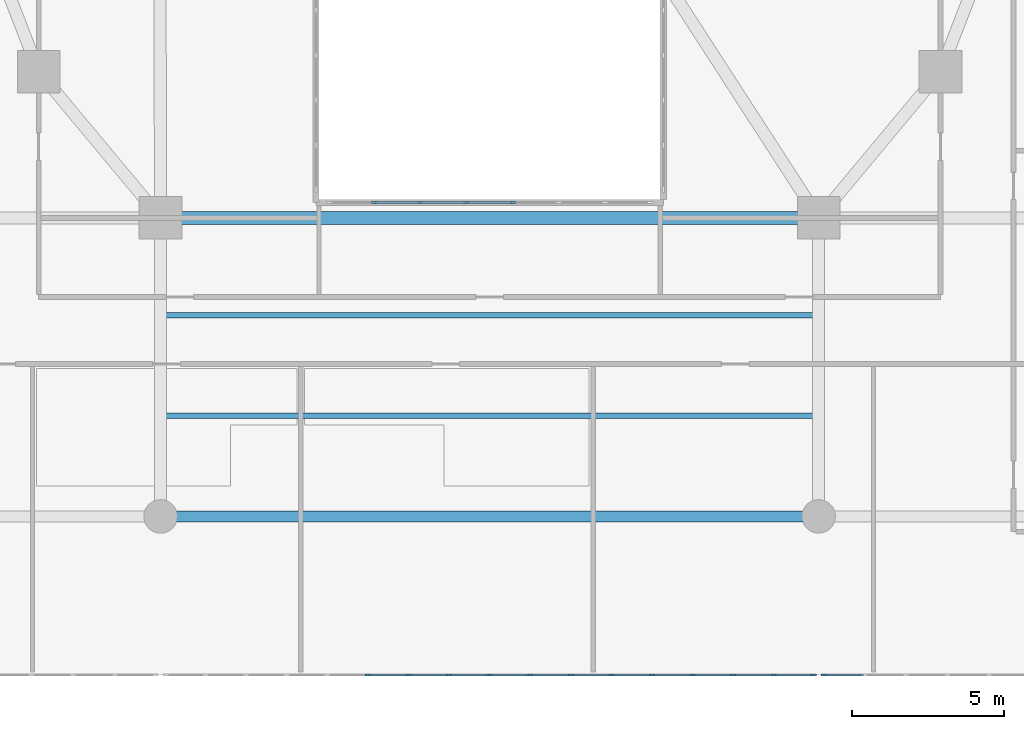
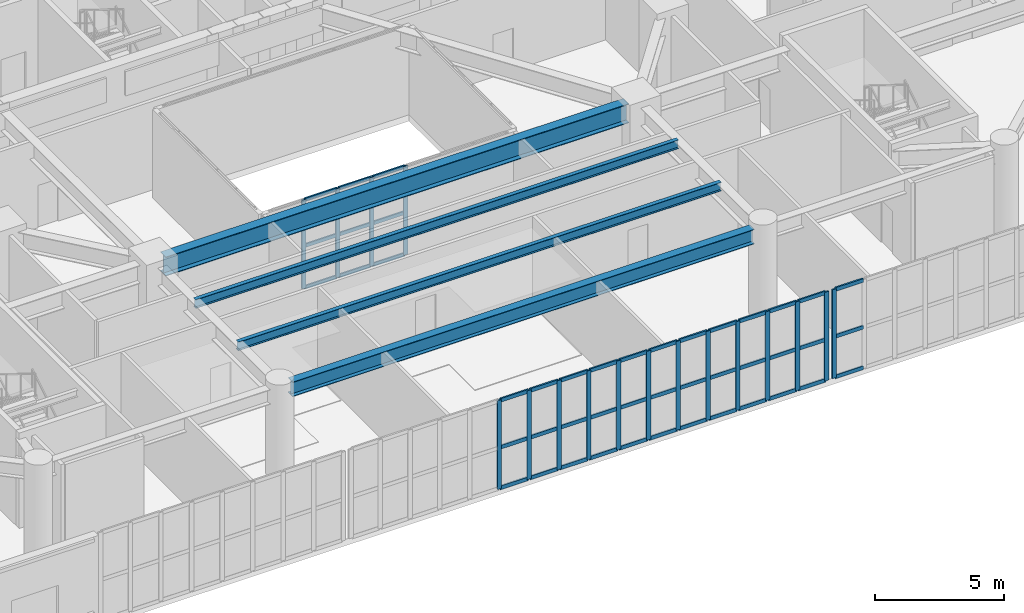
# One storey, part 5 of 25: 62 members, 4 beams, 3 elements without a shape of their own.
"""IFC4 building model written with IfcOpenShell, lengths in metres."""

from ifc_helpers import new_model, si_unit, direction, frame, origin, origin_2d, place, context, subcontext, project, spatial, rectangle, i_section, extrude, material, material_profile, profile_set, type_object, element, aggregate, save


model = new_model("IFC4")

# Units and contexts
model_context = context("Model", 3, precision=1e-05, world=origin(), true_north=direction((0.0, 1.0)))
body_context = subcontext(model_context, "Body", "Model", "MODEL_VIEW")
ifc_project = project(units=[si_unit("LENGTHUNIT", "METRE"), si_unit("AREAUNIT", "SQUARE_METRE"), si_unit("VOLUMEUNIT", "CUBIC_METRE"), si_unit("PLANEANGLEUNIT", "RADIAN"), si_unit("MASSUNIT", "GRAM", prefix="KILO")], contexts=[model_context])

# Site, building, storey
site_placement = place(None, origin())
site = spatial("IfcSite", under=ifc_project, at=site_placement, CompositionType="ELEMENT")
building_placement = place(site_placement, origin())
building = spatial("IfcBuilding", under=site, at=building_placement, Name="Haldorwick Loom Tower", CompositionType="ELEMENT")
storey_placement = place(building_placement, frame((0.0, 0.0, 15.0)))
storey = spatial("IfcBuildingStorey", under=building, at=storey_placement, Name="L03", CompositionType="ELEMENT", Elevation=15.0)

# Curtain wall, members
ifc_material_1 = material(Name="Thermally Broken Anodized Aluminium Curtain Wall Framing", Category="aluminium")
curtain_wall_type_1 = type_object("IfcCurtainWallType", Name="ARC-CW-02", PredefinedType="NOTDEFINED", material=ifc_material_1)
curtain_wall_1_placement = place(storey_placement, origin())
curtain_wall_1 = element("IfcCurtainWall", 1, at=curtain_wall_1_placement, inside=storey, type_object=curtain_wall_type_1, Name="L03 Facade Curtain Wall CW-02 Bay 40", PredefinedType="NOTDEFINED")
ifc_material_profile_1 = material_profile(ifc_material_1, rectangle(XDim=0.070068359375, YDim=0.195068359375, at=origin_2d()), Name="ALU_MUL_70X195", Category="aluminium")
ifc_profile_set_1 = profile_set([ifc_material_profile_1], Name="Thermally Broken Anodized Aluminium Curtain Wall Framing")
member_type_1 = type_object("IfcMemberType", Name="ARC-CWM-02", PredefinedType="MULLION", material=ifc_profile_set_1)
member_1_placement = place(storey_placement, frame((32.00244140625, 0.0, 0.0), z_axis=(0.0, 0.0, 1.0), x_axis=(0.0, 1.0, 0.0)))
member_1 = element("IfcMember", 2, at=member_1_placement, type_object=member_type_1, Name="CW-02 mullion 6", PredefinedType="MULLION", context=body_context, shape_type="SweptSolid", body=[
    extrude(rectangle(XDim=0.070068359375, YDim=0.195068359375, at=origin_2d()), origin(), (0.0, 0.0, 1.0), 4.199951171875),
])
member_2_placement = place(storey_placement, frame((33.3349609375, 0.0, 0.0), z_axis=(0.0, 0.0, 1.0), x_axis=(0.0, 1.0, 0.0)))
member_2 = element("IfcMember", 3, at=member_2_placement, type_object=member_type_1, Name="CW-02 mullion 7", PredefinedType="MULLION", context=body_context, shape_type="SweptSolid", body=[
    extrude(rectangle(XDim=0.070068359375, YDim=0.195068359375, at=origin_2d()), origin(), (0.0, 0.0, 1.0), 4.199951171875),
])
member_3_placement = place(storey_placement, frame((34.66748046875, 0.0, 0.0), z_axis=(0.0, 0.0, 1.0), x_axis=(0.0, 1.0, 0.0)))
member_3 = element("IfcMember", 4, at=member_3_placement, type_object=member_type_1, Name="CW-02 mullion 8", PredefinedType="MULLION", context=body_context, shape_type="SweptSolid", body=[
    extrude(rectangle(XDim=0.070068359375, YDim=0.195068359375, at=origin_2d()), origin(), (0.0, 0.0, 1.0), 4.199951171875),
])
member_4_placement = place(storey_placement, frame((36.0, 0.0, 0.0), z_axis=(0.0, 0.0, 1.0), x_axis=(0.0, 1.0, 0.0)))
member_4 = element("IfcMember", 5, at=member_4_placement, type_object=member_type_1, Name="CW-02 mullion 9", PredefinedType="MULLION", context=body_context, shape_type="SweptSolid", body=[
    extrude(rectangle(XDim=0.070068359375, YDim=0.195068359375, at=origin_2d()), origin(), (0.0, 0.0, 1.0), 4.199951171875),
])
member_5_placement = place(storey_placement, frame((37.33251953125, 0.0, 0.0), z_axis=(0.0, 0.0, 1.0), x_axis=(0.0, 1.0, 0.0)))
member_5 = element("IfcMember", 6, at=member_5_placement, type_object=member_type_1, Name="CW-02 mullion 10", PredefinedType="MULLION", context=body_context, shape_type="SweptSolid", body=[
    extrude(rectangle(XDim=0.070068359375, YDim=0.195068359375, at=origin_2d()), origin(), (0.0, 0.0, 1.0), 4.199951171875),
])
member_6_placement = place(storey_placement, frame((38.6650390625, 0.0, 0.0), z_axis=(0.0, 0.0, 1.0), x_axis=(0.0, 1.0, 0.0)))
member_6 = element("IfcMember", 7, at=member_6_placement, type_object=member_type_1, Name="CW-02 mullion 11", PredefinedType="MULLION", context=body_context, shape_type="SweptSolid", body=[
    extrude(rectangle(XDim=0.070068359375, YDim=0.195068359375, at=origin_2d()), origin(), (0.0, 0.0, 1.0), 4.199951171875),
])
member_7_placement = place(storey_placement, frame((39.99755859375, 0.0, 0.0), z_axis=(0.0, 0.0, 1.0), x_axis=(0.0, 1.0, 0.0)))
member_7 = element("IfcMember", 8, at=member_7_placement, type_object=member_type_1, Name="CW-02 mullion 12", PredefinedType="MULLION", context=body_context, shape_type="SweptSolid", body=[
    extrude(rectangle(XDim=0.070068359375, YDim=0.195068359375, at=origin_2d()), origin(), (0.0, 0.0, 1.0), 4.199951171875),
])
member_8_placement = place(storey_placement, frame((41.330078125, 0.0, 0.0), z_axis=(0.0, 0.0, 1.0), x_axis=(0.0, 1.0, 0.0)))
member_8 = element("IfcMember", 9, at=member_8_placement, type_object=member_type_1, Name="CW-02 mullion 13", PredefinedType="MULLION", context=body_context, shape_type="SweptSolid", body=[
    extrude(rectangle(XDim=0.070068359375, YDim=0.195068359375, at=origin_2d()), origin(), (0.0, 0.0, 1.0), 4.199951171875),
])
member_9_placement = place(storey_placement, frame((42.66259765625, 0.0, 0.0), z_axis=(0.0, 0.0, 1.0), x_axis=(0.0, 1.0, 0.0)))
member_9 = element("IfcMember", 10, at=member_9_placement, type_object=member_type_1, Name="CW-02 mullion 14", PredefinedType="MULLION", context=body_context, shape_type="SweptSolid", body=[
    extrude(rectangle(XDim=0.070068359375, YDim=0.195068359375, at=origin_2d()), origin(), (0.0, 0.0, 1.0), 4.199951171875),
])
member_10_placement = place(storey_placement, frame((43.9951171875, 0.0, 0.0), z_axis=(0.0, 0.0, 1.0), x_axis=(0.0, 1.0, 0.0)))
member_10 = element("IfcMember", 11, at=member_10_placement, type_object=member_type_1, Name="CW-02 mullion 15", PredefinedType="MULLION", context=body_context, shape_type="SweptSolid", body=[
    extrude(rectangle(XDim=0.070068359375, YDim=0.195068359375, at=origin_2d()), origin(), (0.0, 0.0, 1.0), 4.199951171875),
])
member_11_placement = place(storey_placement, frame((45.327392578125, 0.0, 0.0), z_axis=(0.0, 0.0, 1.0), x_axis=(0.0, 1.0, 0.0)))
member_11 = element("IfcMember", 12, at=member_11_placement, type_object=member_type_1, Name="CW-02 mullion 16", PredefinedType="MULLION", context=body_context, shape_type="SweptSolid", body=[
    extrude(rectangle(XDim=0.070068359375, YDim=0.195068359375, at=origin_2d()), origin(), (0.0, 0.0, 1.0), 4.199951171875),
])
member_12_placement = place(storey_placement, frame((46.625, 0.0, 0.0), z_axis=(0.0, 0.0, 1.0), x_axis=(0.0, 1.0, 0.0)))
member_12 = element("IfcMember", 13, at=member_12_placement, type_object=member_type_1, Name="CW-02 mullion 17", PredefinedType="MULLION", context=body_context, shape_type="SweptSolid", body=[
    extrude(rectangle(XDim=0.070068359375, YDim=0.195068359375, at=origin_2d()), origin(), (0.0, 0.0, 1.0), 4.199951171875),
])

# Curtain wall, member
curtain_wall_2_placement = place(storey_placement, origin())
curtain_wall_2 = element("IfcCurtainWall", 14, at=curtain_wall_2_placement, inside=storey, type_object=curtain_wall_type_1, Name="L03 Facade Curtain Wall CW-02 Bay 41", PredefinedType="NOTDEFINED")
member_13_placement = place(storey_placement, frame((46.97509765625, 0.0, 0.0), z_axis=(0.0, 0.0, 1.0), x_axis=(0.0, 1.0, 0.0)))
member_13 = element("IfcMember", 15, at=member_13_placement, type_object=member_type_1, Name="CW-02 mullion 1", PredefinedType="MULLION", context=body_context, shape_type="SweptSolid", body=[
    extrude(rectangle(XDim=0.070068359375, YDim=0.195068359375, at=origin_2d()), origin(), (0.0, 0.0, 1.0), 4.199951171875),
])

# Curtain wall, members
curtain_wall_type_2 = type_object("IfcCurtainWallType", Name="ARC-CW-03", PredefinedType="NOTDEFINED", material=ifc_material_1)
curtain_wall_3_placement = place(storey_placement, origin())
curtain_wall_3 = element("IfcCurtainWall", 16, at=curtain_wall_3_placement, inside=storey, type_object=curtain_wall_type_2, Name="L03 Atrium Glazed Screen S", PredefinedType="NOTDEFINED")
ifc_material_profile_2 = material_profile(ifc_material_1, rectangle(XDim=0.06591796875, YDim=0.18505859375, at=origin_2d()), Name="ALU_MUL_66X185", Category="aluminium")
ifc_profile_set_2 = profile_set([ifc_material_profile_2], Name="Thermally Broken Anodized Aluminium Curtain Wall Framing")
member_type_2 = type_object("IfcMemberType", Name="ARC-CWM-03", PredefinedType="MULLION", material=ifc_profile_set_2)
member_14_placement = place(storey_placement, frame((36.757080078125, 15.5, 0.0), z_axis=(0.0, 0.0, 1.0), x_axis=(0.0, -1.0, 0.0)))
member_14 = element("IfcMember", 17, at=member_14_placement, type_object=member_type_2, Name="CW-03 mullion 4", PredefinedType="MULLION", context=body_context, shape_type="SweptSolid", body=[
    extrude(rectangle(XDim=0.06591796875, YDim=0.18505859375, at=origin_2d()), origin(), (0.0, 0.0, 1.0), 4.199951171875),
])
member_15_placement = place(storey_placement, frame((35.242919921875, 15.5, 0.0), z_axis=(0.0, 0.0, 1.0), x_axis=(0.0, -1.0, 0.0)))
member_15 = element("IfcMember", 18, at=member_15_placement, type_object=member_type_2, Name="CW-03 mullion 5", PredefinedType="MULLION", context=body_context, shape_type="SweptSolid", body=[
    extrude(rectangle(XDim=0.06591796875, YDim=0.18505859375, at=origin_2d()), origin(), (0.0, 0.0, 1.0), 4.199951171875),
])
member_16_placement = place(storey_placement, frame((33.728515625, 15.5, 0.0), z_axis=(0.0, 0.0, 1.0), x_axis=(0.0, -1.0, 0.0)))
member_16 = element("IfcMember", 19, at=member_16_placement, type_object=member_type_2, Name="CW-03 mullion 6", PredefinedType="MULLION", context=body_context, shape_type="SweptSolid", body=[
    extrude(rectangle(XDim=0.06591796875, YDim=0.18505859375, at=origin_2d()), origin(), (0.0, 0.0, 1.0), 4.199951171875),
])
member_17_placement = place(storey_placement, frame((32.21435546875, 15.5, 0.0), z_axis=(0.0, 0.0, 1.0), x_axis=(0.0, -1.0, 0.0)))
member_17 = element("IfcMember", 20, at=member_17_placement, type_object=member_type_2, Name="CW-03 mullion 7", PredefinedType="MULLION", context=body_context, shape_type="SweptSolid", body=[
    extrude(rectangle(XDim=0.06591796875, YDim=0.18505859375, at=origin_2d()), origin(), (0.0, 0.0, 1.0), 4.199951171875),
])

# Member
ifc_material_profile_3 = material_profile(ifc_material_1, rectangle(XDim=0.070068359375, YDim=0.175048828125, at=origin_2d()), Name="ALU_TRN_70X175", Category="aluminium")
ifc_profile_set_3 = profile_set([ifc_material_profile_3], Name="Thermally Broken Anodized Aluminium Curtain Wall Framing")
member_type_3 = type_object("IfcMemberType", Name="ARC-CWT-02", PredefinedType="USERDEFINED", material=ifc_profile_set_3)
member_18_placement = place(storey_placement, frame((32.03759765625, 0.0, 0.034912109375), z_axis=(1.0, 0.0, 0.0), x_axis=(0.0, 1.0, 0.0)))
member_18 = element("IfcMember", 21, at=member_18_placement, type_object=member_type_3, Name="CW-02 transom 6.1", ObjectType="TRANSOM", PredefinedType="USERDEFINED", context=body_context, shape_type="SweptSolid", body=[
    extrude(rectangle(XDim=0.070068359375, YDim=0.175048828125, at=origin_2d()), origin(), (0.0, 0.0, 1.0), 1.262451171875),
])

member_19_placement = place(storey_placement, frame((32.03759765625, 0.0, 1.949951171875), z_axis=(1.0, 0.0, 0.0), x_axis=(0.0, 1.0, 0.0)))
member_19 = element("IfcMember", 22, at=member_19_placement, type_object=member_type_3, Name="CW-02 transom 6.2", ObjectType="TRANSOM", PredefinedType="USERDEFINED", context=body_context, shape_type="SweptSolid", body=[
    extrude(rectangle(XDim=0.070068359375, YDim=0.175048828125, at=origin_2d()), origin(), (0.0, 0.0, 1.0), 1.262451171875),
])

member_20_placement = place(storey_placement, frame((32.03759765625, 0.0, 4.1650390625), z_axis=(1.0, 0.0, 0.0), x_axis=(0.0, 1.0, 0.0)))
member_20 = element("IfcMember", 23, at=member_20_placement, type_object=member_type_3, Name="CW-02 transom 6.3", ObjectType="TRANSOM", PredefinedType="USERDEFINED", context=body_context, shape_type="SweptSolid", body=[
    extrude(rectangle(XDim=0.070068359375, YDim=0.175048828125, at=origin_2d()), origin(), (0.0, 0.0, 1.0), 1.262451171875),
])

member_21_placement = place(storey_placement, frame((33.3701171875, 0.0, 0.034912109375), z_axis=(1.0, 0.0, 0.0), x_axis=(0.0, 1.0, 0.0)))
member_21 = element("IfcMember", 24, at=member_21_placement, type_object=member_type_3, Name="CW-02 transom 7.1", ObjectType="TRANSOM", PredefinedType="USERDEFINED", context=body_context, shape_type="SweptSolid", body=[
    extrude(rectangle(XDim=0.070068359375, YDim=0.175048828125, at=origin_2d()), origin(), (0.0, 0.0, 1.0), 1.262451171875),
])

member_22_placement = place(storey_placement, frame((33.3701171875, 0.0, 1.949951171875), z_axis=(1.0, 0.0, 0.0), x_axis=(0.0, 1.0, 0.0)))
member_22 = element("IfcMember", 25, at=member_22_placement, type_object=member_type_3, Name="CW-02 transom 7.2", ObjectType="TRANSOM", PredefinedType="USERDEFINED", context=body_context, shape_type="SweptSolid", body=[
    extrude(rectangle(XDim=0.070068359375, YDim=0.175048828125, at=origin_2d()), origin(), (0.0, 0.0, 1.0), 1.262451171875),
])

member_23_placement = place(storey_placement, frame((33.3701171875, 0.0, 4.1650390625), z_axis=(1.0, 0.0, 0.0), x_axis=(0.0, 1.0, 0.0)))
member_23 = element("IfcMember", 26, at=member_23_placement, type_object=member_type_3, Name="CW-02 transom 7.3", ObjectType="TRANSOM", PredefinedType="USERDEFINED", context=body_context, shape_type="SweptSolid", body=[
    extrude(rectangle(XDim=0.070068359375, YDim=0.175048828125, at=origin_2d()), origin(), (0.0, 0.0, 1.0), 1.262451171875),
])

member_24_placement = place(storey_placement, frame((34.702392578125, 0.0, 0.034912109375), z_axis=(1.0, 0.0, 0.0), x_axis=(0.0, 1.0, 0.0)))
member_24 = element("IfcMember", 27, at=member_24_placement, type_object=member_type_3, Name="CW-02 transom 8.1", ObjectType="TRANSOM", PredefinedType="USERDEFINED", context=body_context, shape_type="SweptSolid", body=[
    extrude(rectangle(XDim=0.070068359375, YDim=0.175048828125, at=origin_2d()), origin(), (0.0, 0.0, 1.0), 1.2626953125),
])

member_25_placement = place(storey_placement, frame((34.702392578125, 0.0, 1.949951171875), z_axis=(1.0, 0.0, 0.0), x_axis=(0.0, 1.0, 0.0)))
member_25 = element("IfcMember", 28, at=member_25_placement, type_object=member_type_3, Name="CW-02 transom 8.2", ObjectType="TRANSOM", PredefinedType="USERDEFINED", context=body_context, shape_type="SweptSolid", body=[
    extrude(rectangle(XDim=0.070068359375, YDim=0.175048828125, at=origin_2d()), origin(), (0.0, 0.0, 1.0), 1.2626953125),
])

member_26_placement = place(storey_placement, frame((34.702392578125, 0.0, 4.1650390625), z_axis=(1.0, 0.0, 0.0), x_axis=(0.0, 1.0, 0.0)))
member_26 = element("IfcMember", 29, at=member_26_placement, type_object=member_type_3, Name="CW-02 transom 8.3", ObjectType="TRANSOM", PredefinedType="USERDEFINED", context=body_context, shape_type="SweptSolid", body=[
    extrude(rectangle(XDim=0.070068359375, YDim=0.175048828125, at=origin_2d()), origin(), (0.0, 0.0, 1.0), 1.2626953125),
])

member_27_placement = place(storey_placement, frame((36.034912109375, 0.0, 0.034912109375), z_axis=(1.0, 0.0, 0.0), x_axis=(0.0, 1.0, 0.0)))
member_27 = element("IfcMember", 30, at=member_27_placement, type_object=member_type_3, Name="CW-02 transom 9.1", ObjectType="TRANSOM", PredefinedType="USERDEFINED", context=body_context, shape_type="SweptSolid", body=[
    extrude(rectangle(XDim=0.070068359375, YDim=0.175048828125, at=origin_2d()), origin(), (0.0, 0.0, 1.0), 1.2626953125),
])

member_28_placement = place(storey_placement, frame((36.034912109375, 0.0, 1.949951171875), z_axis=(1.0, 0.0, 0.0), x_axis=(0.0, 1.0, 0.0)))
member_28 = element("IfcMember", 31, at=member_28_placement, type_object=member_type_3, Name="CW-02 transom 9.2", ObjectType="TRANSOM", PredefinedType="USERDEFINED", context=body_context, shape_type="SweptSolid", body=[
    extrude(rectangle(XDim=0.070068359375, YDim=0.175048828125, at=origin_2d()), origin(), (0.0, 0.0, 1.0), 1.2626953125),
])

member_29_placement = place(storey_placement, frame((36.034912109375, 0.0, 4.1650390625), z_axis=(1.0, 0.0, 0.0), x_axis=(0.0, 1.0, 0.0)))
member_29 = element("IfcMember", 32, at=member_29_placement, type_object=member_type_3, Name="CW-02 transom 9.3", ObjectType="TRANSOM", PredefinedType="USERDEFINED", context=body_context, shape_type="SweptSolid", body=[
    extrude(rectangle(XDim=0.070068359375, YDim=0.175048828125, at=origin_2d()), origin(), (0.0, 0.0, 1.0), 1.2626953125),
])

member_30_placement = place(storey_placement, frame((37.367431640625, 0.0, 0.034912109375), z_axis=(1.0, 0.0, 0.0), x_axis=(0.0, 1.0, 0.0)))
member_30 = element("IfcMember", 33, at=member_30_placement, type_object=member_type_3, Name="CW-02 transom 10.1", ObjectType="TRANSOM", PredefinedType="USERDEFINED", context=body_context, shape_type="SweptSolid", body=[
    extrude(rectangle(XDim=0.070068359375, YDim=0.175048828125, at=origin_2d()), origin(), (0.0, 0.0, 1.0), 1.262451171875),
])

member_31_placement = place(storey_placement, frame((37.367431640625, 0.0, 1.949951171875), z_axis=(1.0, 0.0, 0.0), x_axis=(0.0, 1.0, 0.0)))
member_31 = element("IfcMember", 34, at=member_31_placement, type_object=member_type_3, Name="CW-02 transom 10.2", ObjectType="TRANSOM", PredefinedType="USERDEFINED", context=body_context, shape_type="SweptSolid", body=[
    extrude(rectangle(XDim=0.070068359375, YDim=0.175048828125, at=origin_2d()), origin(), (0.0, 0.0, 1.0), 1.262451171875),
])

member_32_placement = place(storey_placement, frame((37.367431640625, 0.0, 4.1650390625), z_axis=(1.0, 0.0, 0.0), x_axis=(0.0, 1.0, 0.0)))
member_32 = element("IfcMember", 35, at=member_32_placement, type_object=member_type_3, Name="CW-02 transom 10.3", ObjectType="TRANSOM", PredefinedType="USERDEFINED", context=body_context, shape_type="SweptSolid", body=[
    extrude(rectangle(XDim=0.070068359375, YDim=0.175048828125, at=origin_2d()), origin(), (0.0, 0.0, 1.0), 1.262451171875),
])

member_33_placement = place(storey_placement, frame((38.699951171875, 0.0, 0.034912109375), z_axis=(1.0, 0.0, 0.0), x_axis=(0.0, 1.0, 0.0)))
member_33 = element("IfcMember", 36, at=member_33_placement, type_object=member_type_3, Name="CW-02 transom 11.1", ObjectType="TRANSOM", PredefinedType="USERDEFINED", context=body_context, shape_type="SweptSolid", body=[
    extrude(rectangle(XDim=0.070068359375, YDim=0.175048828125, at=origin_2d()), origin(), (0.0, 0.0, 1.0), 1.262451171875),
])

member_34_placement = place(storey_placement, frame((38.699951171875, 0.0, 1.949951171875), z_axis=(1.0, 0.0, 0.0), x_axis=(0.0, 1.0, 0.0)))
member_34 = element("IfcMember", 37, at=member_34_placement, type_object=member_type_3, Name="CW-02 transom 11.2", ObjectType="TRANSOM", PredefinedType="USERDEFINED", context=body_context, shape_type="SweptSolid", body=[
    extrude(rectangle(XDim=0.070068359375, YDim=0.175048828125, at=origin_2d()), origin(), (0.0, 0.0, 1.0), 1.262451171875),
])

member_35_placement = place(storey_placement, frame((38.699951171875, 0.0, 4.1650390625), z_axis=(1.0, 0.0, 0.0), x_axis=(0.0, 1.0, 0.0)))
member_35 = element("IfcMember", 38, at=member_35_placement, type_object=member_type_3, Name="CW-02 transom 11.3", ObjectType="TRANSOM", PredefinedType="USERDEFINED", context=body_context, shape_type="SweptSolid", body=[
    extrude(rectangle(XDim=0.070068359375, YDim=0.175048828125, at=origin_2d()), origin(), (0.0, 0.0, 1.0), 1.262451171875),
])

member_36_placement = place(storey_placement, frame((40.032470703125, 0.0, 0.034912109375), z_axis=(1.0, 0.0, 0.0), x_axis=(0.0, 1.0, 0.0)))
member_36 = element("IfcMember", 39, at=member_36_placement, type_object=member_type_3, Name="CW-02 transom 12.1", ObjectType="TRANSOM", PredefinedType="USERDEFINED", context=body_context, shape_type="SweptSolid", body=[
    extrude(rectangle(XDim=0.070068359375, YDim=0.175048828125, at=origin_2d()), origin(), (0.0, 0.0, 1.0), 1.262451171875),
])

member_37_placement = place(storey_placement, frame((40.032470703125, 0.0, 1.949951171875), z_axis=(1.0, 0.0, 0.0), x_axis=(0.0, 1.0, 0.0)))
member_37 = element("IfcMember", 40, at=member_37_placement, type_object=member_type_3, Name="CW-02 transom 12.2", ObjectType="TRANSOM", PredefinedType="USERDEFINED", context=body_context, shape_type="SweptSolid", body=[
    extrude(rectangle(XDim=0.070068359375, YDim=0.175048828125, at=origin_2d()), origin(), (0.0, 0.0, 1.0), 1.262451171875),
])

member_38_placement = place(storey_placement, frame((40.032470703125, 0.0, 4.1650390625), z_axis=(1.0, 0.0, 0.0), x_axis=(0.0, 1.0, 0.0)))
member_38 = element("IfcMember", 41, at=member_38_placement, type_object=member_type_3, Name="CW-02 transom 12.3", ObjectType="TRANSOM", PredefinedType="USERDEFINED", context=body_context, shape_type="SweptSolid", body=[
    extrude(rectangle(XDim=0.070068359375, YDim=0.175048828125, at=origin_2d()), origin(), (0.0, 0.0, 1.0), 1.262451171875),
])

member_39_placement = place(storey_placement, frame((41.364990234375, 0.0, 0.034912109375), z_axis=(1.0, 0.0, 0.0), x_axis=(0.0, 1.0, 0.0)))
member_39 = element("IfcMember", 42, at=member_39_placement, type_object=member_type_3, Name="CW-02 transom 13.1", ObjectType="TRANSOM", PredefinedType="USERDEFINED", context=body_context, shape_type="SweptSolid", body=[
    extrude(rectangle(XDim=0.070068359375, YDim=0.175048828125, at=origin_2d()), origin(), (0.0, 0.0, 1.0), 1.262451171875),
])

member_40_placement = place(storey_placement, frame((41.364990234375, 0.0, 1.949951171875), z_axis=(1.0, 0.0, 0.0), x_axis=(0.0, 1.0, 0.0)))
member_40 = element("IfcMember", 43, at=member_40_placement, type_object=member_type_3, Name="CW-02 transom 13.2", ObjectType="TRANSOM", PredefinedType="USERDEFINED", context=body_context, shape_type="SweptSolid", body=[
    extrude(rectangle(XDim=0.070068359375, YDim=0.175048828125, at=origin_2d()), origin(), (0.0, 0.0, 1.0), 1.262451171875),
])

member_41_placement = place(storey_placement, frame((41.364990234375, 0.0, 4.1650390625), z_axis=(1.0, 0.0, 0.0), x_axis=(0.0, 1.0, 0.0)))
member_41 = element("IfcMember", 44, at=member_41_placement, type_object=member_type_3, Name="CW-02 transom 13.3", ObjectType="TRANSOM", PredefinedType="USERDEFINED", context=body_context, shape_type="SweptSolid", body=[
    extrude(rectangle(XDim=0.070068359375, YDim=0.175048828125, at=origin_2d()), origin(), (0.0, 0.0, 1.0), 1.262451171875),
])

member_42_placement = place(storey_placement, frame((42.697509765625, 0.0, 0.034912109375), z_axis=(1.0, 0.0, 0.0), x_axis=(0.0, 1.0, 0.0)))
member_42 = element("IfcMember", 45, at=member_42_placement, type_object=member_type_3, Name="CW-02 transom 14.1", ObjectType="TRANSOM", PredefinedType="USERDEFINED", context=body_context, shape_type="SweptSolid", body=[
    extrude(rectangle(XDim=0.070068359375, YDim=0.175048828125, at=origin_2d()), origin(), (0.0, 0.0, 1.0), 1.262451171875),
])

member_43_placement = place(storey_placement, frame((42.697509765625, 0.0, 1.949951171875), z_axis=(1.0, 0.0, 0.0), x_axis=(0.0, 1.0, 0.0)))
member_43 = element("IfcMember", 46, at=member_43_placement, type_object=member_type_3, Name="CW-02 transom 14.2", ObjectType="TRANSOM", PredefinedType="USERDEFINED", context=body_context, shape_type="SweptSolid", body=[
    extrude(rectangle(XDim=0.070068359375, YDim=0.175048828125, at=origin_2d()), origin(), (0.0, 0.0, 1.0), 1.262451171875),
])

member_44_placement = place(storey_placement, frame((42.697509765625, 0.0, 4.1650390625), z_axis=(1.0, 0.0, 0.0), x_axis=(0.0, 1.0, 0.0)))
member_44 = element("IfcMember", 47, at=member_44_placement, type_object=member_type_3, Name="CW-02 transom 14.3", ObjectType="TRANSOM", PredefinedType="USERDEFINED", context=body_context, shape_type="SweptSolid", body=[
    extrude(rectangle(XDim=0.070068359375, YDim=0.175048828125, at=origin_2d()), origin(), (0.0, 0.0, 1.0), 1.262451171875),
])

member_45_placement = place(storey_placement, frame((44.030029296875, 0.0, 0.034912109375), z_axis=(1.0, 0.0, 0.0), x_axis=(0.0, 1.0, 0.0)))
member_45 = element("IfcMember", 48, at=member_45_placement, type_object=member_type_3, Name="CW-02 transom 15.1", ObjectType="TRANSOM", PredefinedType="USERDEFINED", context=body_context, shape_type="SweptSolid", body=[
    extrude(rectangle(XDim=0.070068359375, YDim=0.175048828125, at=origin_2d()), origin(), (0.0, 0.0, 1.0), 1.262451171875),
])

member_46_placement = place(storey_placement, frame((44.030029296875, 0.0, 1.949951171875), z_axis=(1.0, 0.0, 0.0), x_axis=(0.0, 1.0, 0.0)))
member_46 = element("IfcMember", 49, at=member_46_placement, type_object=member_type_3, Name="CW-02 transom 15.2", ObjectType="TRANSOM", PredefinedType="USERDEFINED", context=body_context, shape_type="SweptSolid", body=[
    extrude(rectangle(XDim=0.070068359375, YDim=0.175048828125, at=origin_2d()), origin(), (0.0, 0.0, 1.0), 1.262451171875),
])

member_47_placement = place(storey_placement, frame((44.030029296875, 0.0, 4.1650390625), z_axis=(1.0, 0.0, 0.0), x_axis=(0.0, 1.0, 0.0)))
member_47 = element("IfcMember", 50, at=member_47_placement, type_object=member_type_3, Name="CW-02 transom 15.3", ObjectType="TRANSOM", PredefinedType="USERDEFINED", context=body_context, shape_type="SweptSolid", body=[
    extrude(rectangle(XDim=0.070068359375, YDim=0.175048828125, at=origin_2d()), origin(), (0.0, 0.0, 1.0), 1.262451171875),
])

member_48_placement = place(storey_placement, frame((45.362548828125, 0.0, 0.034912109375), z_axis=(1.0, 0.0, 0.0), x_axis=(0.0, 1.0, 0.0)))
member_48 = element("IfcMember", 51, at=member_48_placement, type_object=member_type_3, Name="CW-02 transom 16.1", ObjectType="TRANSOM", PredefinedType="USERDEFINED", context=body_context, shape_type="SweptSolid", body=[
    extrude(rectangle(XDim=0.070068359375, YDim=0.175048828125, at=origin_2d()), origin(), (0.0, 0.0, 1.0), 1.2275390625),
])

member_49_placement = place(storey_placement, frame((45.362548828125, 0.0, 1.949951171875), z_axis=(1.0, 0.0, 0.0), x_axis=(0.0, 1.0, 0.0)))
member_49 = element("IfcMember", 52, at=member_49_placement, type_object=member_type_3, Name="CW-02 transom 16.2", ObjectType="TRANSOM", PredefinedType="USERDEFINED", context=body_context, shape_type="SweptSolid", body=[
    extrude(rectangle(XDim=0.070068359375, YDim=0.175048828125, at=origin_2d()), origin(), (0.0, 0.0, 1.0), 1.2275390625),
])

member_50_placement = place(storey_placement, frame((45.362548828125, 0.0, 4.1650390625), z_axis=(1.0, 0.0, 0.0), x_axis=(0.0, 1.0, 0.0)))
member_50 = element("IfcMember", 53, at=member_50_placement, type_object=member_type_3, Name="CW-02 transom 16.3", ObjectType="TRANSOM", PredefinedType="USERDEFINED", context=body_context, shape_type="SweptSolid", body=[
    extrude(rectangle(XDim=0.070068359375, YDim=0.175048828125, at=origin_2d()), origin(), (0.0, 0.0, 1.0), 1.2275390625),
])

aggregate(curtain_wall_1, [member_1, member_2, member_3, member_4, member_5, member_6, member_7, member_8, member_9, member_10, member_11, member_12, member_18, member_19, member_20, member_21, member_22, member_23, member_24, member_25, member_26, member_27, member_28, member_29, member_30, member_31, member_32, member_33, member_34, member_35, member_36, member_37, member_38, member_39, member_40, member_41, member_42, member_43, member_44, member_45, member_46, member_47, member_48, member_49, member_50])

member_51_placement = place(storey_placement, frame((47.010009765625, 0.0, 0.034912109375), z_axis=(1.0, 0.0, 0.0), x_axis=(0.0, 1.0, 0.0)))
member_51 = element("IfcMember", 54, at=member_51_placement, type_object=member_type_3, Name="CW-02 transom 1.1", ObjectType="TRANSOM", PredefinedType="USERDEFINED", context=body_context, shape_type="SweptSolid", body=[
    extrude(rectangle(XDim=0.070068359375, YDim=0.175048828125, at=origin_2d()), origin(), (0.0, 0.0, 1.0), 1.260009765625),
])

member_52_placement = place(storey_placement, frame((47.010009765625, 0.0, 1.949951171875), z_axis=(1.0, 0.0, 0.0), x_axis=(0.0, 1.0, 0.0)))
member_52 = element("IfcMember", 55, at=member_52_placement, type_object=member_type_3, Name="CW-02 transom 1.2", ObjectType="TRANSOM", PredefinedType="USERDEFINED", context=body_context, shape_type="SweptSolid", body=[
    extrude(rectangle(XDim=0.070068359375, YDim=0.175048828125, at=origin_2d()), origin(), (0.0, 0.0, 1.0), 1.260009765625),
])

member_53_placement = place(storey_placement, frame((47.010009765625, 0.0, 4.1650390625), z_axis=(1.0, 0.0, 0.0), x_axis=(0.0, 1.0, 0.0)))
member_53 = element("IfcMember", 56, at=member_53_placement, type_object=member_type_3, Name="CW-02 transom 1.3", ObjectType="TRANSOM", PredefinedType="USERDEFINED", context=body_context, shape_type="SweptSolid", body=[
    extrude(rectangle(XDim=0.070068359375, YDim=0.175048828125, at=origin_2d()), origin(), (0.0, 0.0, 1.0), 1.260009765625),
])

aggregate(curtain_wall_2, [member_13, member_51, member_52, member_53])

ifc_material_profile_4 = material_profile(ifc_material_1, rectangle(XDim=0.06591796875, YDim=0.1650390625, at=origin_2d()), Name="ALU_TRN_66X165", Category="aluminium")
ifc_profile_set_4 = profile_set([ifc_material_profile_4], Name="Thermally Broken Anodized Aluminium Curtain Wall Framing")
member_type_4 = type_object("IfcMemberType", Name="ARC-CWT-03", PredefinedType="USERDEFINED", material=ifc_profile_set_4)
member_54_placement = place(storey_placement, frame((36.72412109375, 15.5, 0.032958984375), z_axis=(-1.0, 0.0, 0.0), x_axis=(0.0, -1.0, 0.0)))
member_54 = element("IfcMember", 57, at=member_54_placement, type_object=member_type_4, Name="CW-03 transom 4.1", ObjectType="TRANSOM", PredefinedType="USERDEFINED", context=body_context, shape_type="SweptSolid", body=[
    extrude(rectangle(XDim=0.06591796875, YDim=0.1650390625, at=origin_2d()), origin(), (0.0, 0.0, 1.0), 1.4482421875),
])

member_55_placement = place(storey_placement, frame((36.72412109375, 15.5, 2.0), z_axis=(-1.0, 0.0, 0.0), x_axis=(0.0, -1.0, 0.0)))
member_55 = element("IfcMember", 58, at=member_55_placement, type_object=member_type_4, Name="CW-03 transom 4.2", ObjectType="TRANSOM", PredefinedType="USERDEFINED", context=body_context, shape_type="SweptSolid", body=[
    extrude(rectangle(XDim=0.06591796875, YDim=0.1650390625, at=origin_2d()), origin(), (0.0, 0.0, 1.0), 1.4482421875),
])

member_56_placement = place(storey_placement, frame((36.72412109375, 15.5, 4.1669921875), z_axis=(-1.0, 0.0, 0.0), x_axis=(0.0, -1.0, 0.0)))
member_56 = element("IfcMember", 59, at=member_56_placement, type_object=member_type_4, Name="CW-03 transom 4.3", ObjectType="TRANSOM", PredefinedType="USERDEFINED", context=body_context, shape_type="SweptSolid", body=[
    extrude(rectangle(XDim=0.06591796875, YDim=0.1650390625, at=origin_2d()), origin(), (0.0, 0.0, 1.0), 1.4482421875),
])

member_57_placement = place(storey_placement, frame((35.2099609375, 15.5, 0.032958984375), z_axis=(-1.0, 0.0, 0.0), x_axis=(0.0, -1.0, 0.0)))
member_57 = element("IfcMember", 60, at=member_57_placement, type_object=member_type_4, Name="CW-03 transom 5.1", ObjectType="TRANSOM", PredefinedType="USERDEFINED", context=body_context, shape_type="SweptSolid", body=[
    extrude(rectangle(XDim=0.06591796875, YDim=0.1650390625, at=origin_2d()), origin(), (0.0, 0.0, 1.0), 1.448486328125),
])

member_58_placement = place(storey_placement, frame((35.2099609375, 15.5, 2.0), z_axis=(-1.0, 0.0, 0.0), x_axis=(0.0, -1.0, 0.0)))
member_58 = element("IfcMember", 61, at=member_58_placement, type_object=member_type_4, Name="CW-03 transom 5.2", ObjectType="TRANSOM", PredefinedType="USERDEFINED", context=body_context, shape_type="SweptSolid", body=[
    extrude(rectangle(XDim=0.06591796875, YDim=0.1650390625, at=origin_2d()), origin(), (0.0, 0.0, 1.0), 1.448486328125),
])

member_59_placement = place(storey_placement, frame((35.2099609375, 15.5, 4.1669921875), z_axis=(-1.0, 0.0, 0.0), x_axis=(0.0, -1.0, 0.0)))
member_59 = element("IfcMember", 62, at=member_59_placement, type_object=member_type_4, Name="CW-03 transom 5.3", ObjectType="TRANSOM", PredefinedType="USERDEFINED", context=body_context, shape_type="SweptSolid", body=[
    extrude(rectangle(XDim=0.06591796875, YDim=0.1650390625, at=origin_2d()), origin(), (0.0, 0.0, 1.0), 1.448486328125),
])

member_60_placement = place(storey_placement, frame((33.695556640625, 15.5, 0.032958984375), z_axis=(-1.0, 0.0, 0.0), x_axis=(0.0, -1.0, 0.0)))
member_60 = element("IfcMember", 63, at=member_60_placement, type_object=member_type_4, Name="CW-03 transom 6.1", ObjectType="TRANSOM", PredefinedType="USERDEFINED", context=body_context, shape_type="SweptSolid", body=[
    extrude(rectangle(XDim=0.06591796875, YDim=0.1650390625, at=origin_2d()), origin(), (0.0, 0.0, 1.0), 1.4482421875),
])

member_61_placement = place(storey_placement, frame((33.695556640625, 15.5, 2.0), z_axis=(-1.0, 0.0, 0.0), x_axis=(0.0, -1.0, 0.0)))
member_61 = element("IfcMember", 64, at=member_61_placement, type_object=member_type_4, Name="CW-03 transom 6.2", ObjectType="TRANSOM", PredefinedType="USERDEFINED", context=body_context, shape_type="SweptSolid", body=[
    extrude(rectangle(XDim=0.06591796875, YDim=0.1650390625, at=origin_2d()), origin(), (0.0, 0.0, 1.0), 1.4482421875),
])

member_62_placement = place(storey_placement, frame((33.695556640625, 15.5, 4.1669921875), z_axis=(-1.0, 0.0, 0.0), x_axis=(0.0, -1.0, 0.0)))
member_62 = element("IfcMember", 65, at=member_62_placement, type_object=member_type_4, Name="CW-03 transom 6.3", ObjectType="TRANSOM", PredefinedType="USERDEFINED", context=body_context, shape_type="SweptSolid", body=[
    extrude(rectangle(XDim=0.06591796875, YDim=0.1650390625, at=origin_2d()), origin(), (0.0, 0.0, 1.0), 1.4482421875),
])

aggregate(curtain_wall_3, [member_14, member_15, member_16, member_17, member_54, member_55, member_56, member_57, member_58, member_59, member_60, member_61, member_62])

# Beams
ifc_material_2 = material(Name="Steel CSA G40.21 350W", Category="steel")
ifc_material_profile_5 = material_profile(ifc_material_2, i_section(OverallWidth=0.179931640625, OverallDepth=0.4130859375, WebThickness=0.009765625, FlangeThickness=0.01611328125, at=origin_2d()), Name="W410X74", Category="steel")
ifc_profile_set_5 = profile_set([ifc_material_profile_5], Name="Steel CSA G40.21 350W")
beam_type_1 = type_object("IfcBeamType", Name="STR-BM-J410", PredefinedType="JOIST", material=ifc_profile_set_5)
for number, where, z_axis, x_axis, name in (
    (66, (25.199951171875, 8.5, 3.993408203125), (1.0, 0.0, 0.0), (0.0, 1.0, 0.0), "L03 Podium Secondary Joist PJ-S1"),
    (67, (25.199951171875, 11.800048828125, 3.993408203125), (1.0, 0.0, 0.0), (0.0, 1.0, 0.0), "L03 Podium Secondary Joist PJ-S2"),
):
    element("IfcBeam", number, at=place(storey_placement, frame(where, z_axis=z_axis, x_axis=x_axis)), inside=storey, type_object=beam_type_1, Name=name, PredefinedType="JOIST", context=body_context, shape_type="SweptSolid", body=[
        extrude(i_section(OverallWidth=0.179931640625, OverallDepth=0.4130859375, WebThickness=0.009765625, FlangeThickness=0.01611328125, at=origin_2d()), origin(), (0.0, 0.0, 1.0), 21.60009765625),
    ])
ifc_material_profile_6 = material_profile(ifc_material_2, i_section(OverallWidth=0.35498046875, OverallDepth=0.695068359375, WebThickness=0.015380859375, FlangeThickness=0.02490234375, at=origin_2d()), Name="W690X217", Category="steel")
ifc_profile_set_6 = profile_set([ifc_material_profile_6], Name="Steel CSA G40.21 350W")
beam_type_2 = type_object("IfcBeamType", Name="STR-BM-SP690", PredefinedType="SPANDREL", material=ifc_profile_set_6)
beam_1_placement = place(storey_placement, frame((25.679931640625, 5.199951171875, 3.8525390625), z_axis=(1.0, 0.0, 0.0), x_axis=(0.0, 1.0, 0.0)))
element("IfcBeam", 68, at=beam_1_placement, inside=storey, type_object=beam_type_2, Name="L03 Podium Spandrel PSP-S3", PredefinedType="SPANDREL", context=body_context, shape_type="SweptSolid", body=[
    extrude(i_section(OverallWidth=0.35498046875, OverallDepth=0.695068359375, WebThickness=0.015380859375, FlangeThickness=0.02490234375, at=origin_2d()), origin(), (0.0, 0.0, 1.0), 20.64013671875),
])
ifc_material_profile_7 = material_profile(ifc_material_2, i_section(OverallWidth=0.41796875, OverallDepth=0.912109375, WebThickness=0.019287109375, FlangeThickness=0.031982421875, at=origin_2d()), Name="W920X342", Category="steel")
ifc_profile_set_7 = profile_set([ifc_material_profile_7], Name="Steel CSA G40.21 350W")
beam_type_3 = type_object("IfcBeamType", Name="STR-BM-W920", PredefinedType="BEAM", material=ifc_profile_set_7)
beam_2_placement = place(storey_placement, frame((25.64990234375, 15.0, 3.743896484375), z_axis=(1.0, 0.0, 0.0), x_axis=(0.0, 1.0, 0.0)))
element("IfcBeam", 69, at=beam_2_placement, inside=storey, type_object=beam_type_3, Name="L03 Podium Primary Girder PG-03", PredefinedType="BEAM", context=body_context, shape_type="SweptSolid", body=[
    extrude(i_section(OverallWidth=0.41796875, OverallDepth=0.912109375, WebThickness=0.019287109375, FlangeThickness=0.031982421875, at=origin_2d()), origin(), (0.0, 0.0, 1.0), 20.7001953125),
])

save(model, "model.ifc")
